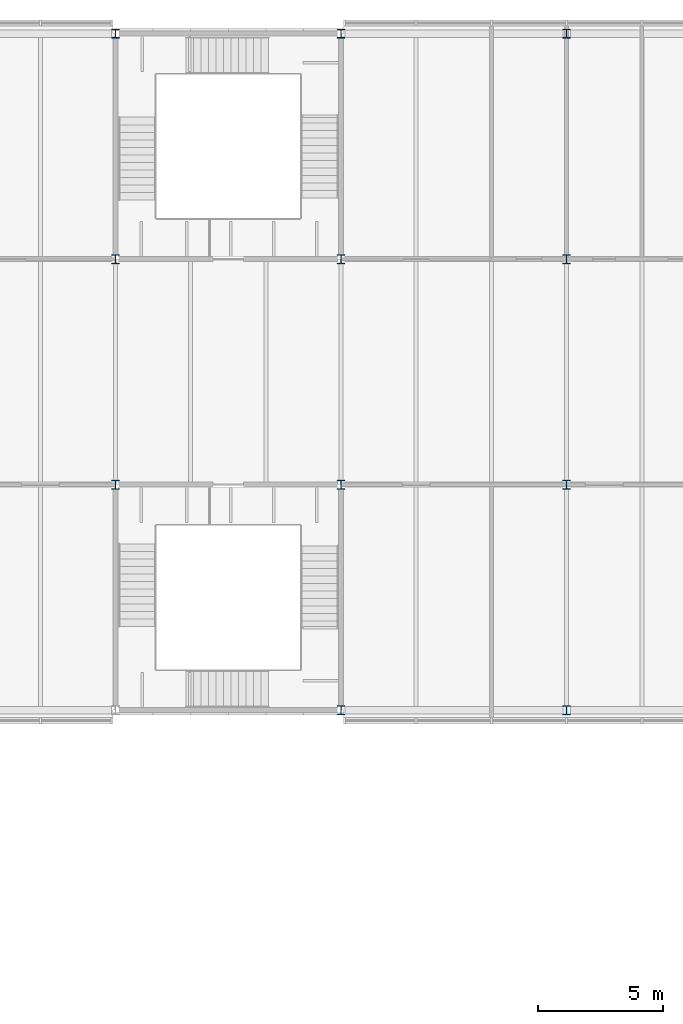
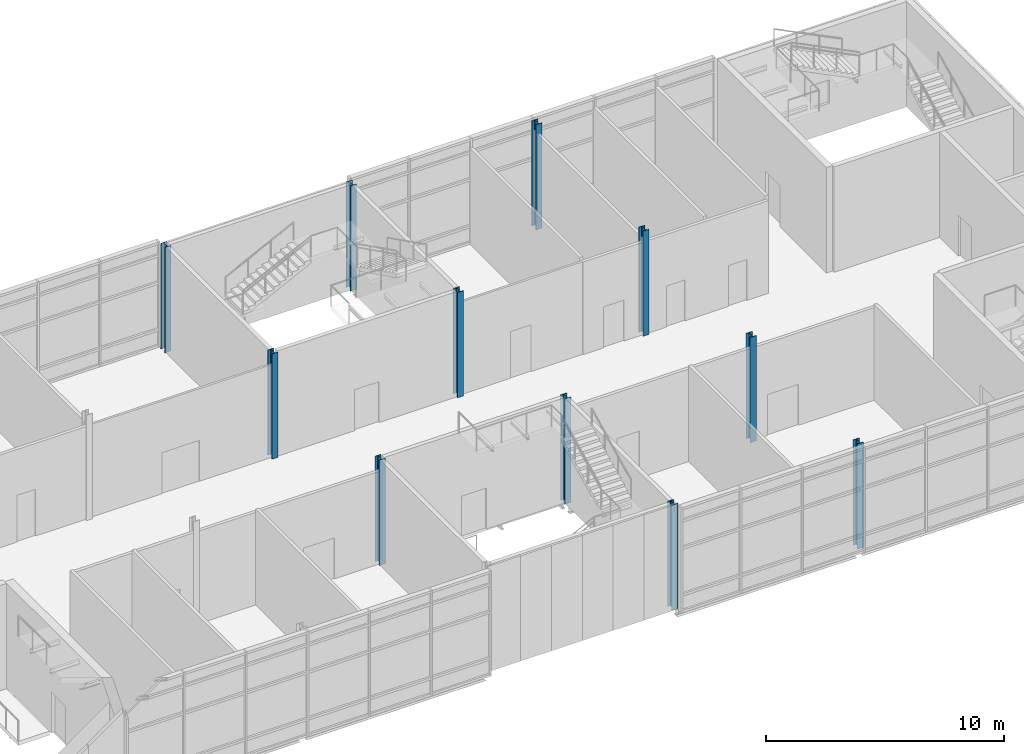
# One storey, part 8 of 52: 11 columns.
"""IFC4 building model written with IfcOpenShell, lengths in metres."""

import ifcopenshell
import ifcopenshell.guid

model = None  # the IFC model being written
_history = None  # IfcOwnerHistory: only IFC2X3 demands one
_inside = {}  # id of a spatial element -> (the spatial element, [elements in it])
_under = {}  # id of a project, library or spatial element -> (it, [spatial elements below it])
_declared = {}  # id of a project -> (the project, [libraries it declares])
_typed = {}  # id of a type object -> (the type object, [elements of that type])
_made_of = {}  # id of a material, layer set ... -> (it, [elements and type objects made of it])


def new_model(schema):
    """Start an empty IFC model of exactly this schema.

    Asked for "IFC4X3", IfcOpenShell would pick the latest addendum, in which some entities
    have other attributes; the version numbers below select the first issue.
    IFC2X3 requires an IfcOwnerHistory on every rooted entity: one is made here for all.
    """
    global model, _history
    if schema == "IFC4X3":
        model = ifcopenshell.file(schema_version=(4, 3, 0, 0))
    else:
        model = ifcopenshell.file(schema=schema)
    _inside.clear()
    _under.clear()
    _declared.clear()
    _typed.clear()
    _made_of.clear()
    _history = None
    if model.schema == "IFC2X3":
        org = make("IfcOrganization", Name="unknown")
        user = make(
            "IfcPersonAndOrganization",
            ThePerson=make("IfcPerson", FamilyName="unknown"),
            TheOrganization=org,
        )
        app = make(
            "IfcApplication",
            ApplicationDeveloper=org,
            Version="unknown",
            ApplicationFullName="unknown",
            ApplicationIdentifier="unknown",
        )
        _history = make(
            "IfcOwnerHistory",
            OwningUser=user,
            OwningApplication=app,
            ChangeAction="ADDED",
            CreationDate=0,
        )
    return model


def make(cls, **values):
    """One entity of the class cls with the attributes given. An attribute that is None is left unset."""
    return model.create_entity(
        cls, **{name: value for name, value in values.items() if value is not None}
    )


def rooted(cls, **values):
    """An entity with a GlobalId (a new one), such as an element, a storey or a relation."""
    return make(cls, GlobalId=ifcopenshell.guid.new(), OwnerHistory=_history, **values)


def si_unit(unit_type, name, prefix=None):
    """IfcSIUnit, for example si_unit("LENGTHUNIT", "METRE", prefix="MILLI")."""
    return make("IfcSIUnit", UnitType=unit_type, Prefix=prefix, Name=name)


def assignment(units):
    """IfcUnitAssignment: the units of a project."""
    return None if units is None else make("IfcUnitAssignment", Units=units)


def point(xyz):
    """IfcCartesianPoint."""
    return None if xyz is None else make("IfcCartesianPoint", Coordinates=xyz)


def direction(xyz):
    """IfcDirection."""
    return None if xyz is None else make("IfcDirection", DirectionRatios=xyz)


def frame(location, z_axis=None, x_axis=None):
    """IfcAxis2Placement3D, a coordinate frame: its origin and axes. An axis left out is left unset."""
    return make(
        "IfcAxis2Placement3D",
        Location=point(location),
        Axis=direction(z_axis),
        RefDirection=direction(x_axis),
    )


def frame_2d(location, x_axis=None):
    """IfcAxis2Placement2D, a coordinate frame in the plane: its origin and x axis."""
    return make(
        "IfcAxis2Placement2D", Location=point(location), RefDirection=direction(x_axis)
    )


def origin():
    """The frame at (0, 0, 0) with its axes left unset."""
    return frame((0.0, 0.0, 0.0))


def origin_2d():
    """The frame at (0, 0) in the plane with its x axis left unset."""
    return frame_2d((0.0, 0.0))


def place(relative_to, where):
    """IfcLocalPlacement: puts the frame where relative to a parent placement (None: the world)."""
    return make(
        "IfcLocalPlacement", PlacementRelTo=relative_to, RelativePlacement=where
    )


def context(
    kind, dimensions, precision=None, world=None, true_north=None, identifier=None
):
    """IfcGeometricRepresentationContext, for example the 3D "Model" context."""
    return make(
        "IfcGeometricRepresentationContext",
        ContextIdentifier=identifier,
        ContextType=kind,
        CoordinateSpaceDimension=dimensions,
        Precision=precision,
        WorldCoordinateSystem=world,
        TrueNorth=true_north,
    )


def subcontext(parent, identifier, kind, view, scale=None):
    """IfcGeometricRepresentationSubContext, for example "Body" below "Model"."""
    return make(
        "IfcGeometricRepresentationSubContext",
        ContextIdentifier=identifier,
        ContextType=kind,
        ParentContext=parent,
        TargetScale=scale,
        TargetView=view,
    )


def project(units=None, contexts=None):
    """IfcProject with its units and contexts."""
    return rooted(
        "IfcProject",
        Name="project",
        RepresentationContexts=contexts,
        UnitsInContext=assignment(units),
    )


def spatial(cls, under=None, at=None, **own):
    """A site, building, storey or space (cls), placed at a placement, below another one or the project."""
    s = rooted(cls, ObjectPlacement=at, **own)
    if under is not None:
        _under.setdefault(under.id(), (under, []))[1].append(s)
    return s


def profile(cls, at=None, kind="AREA", **sizes):
    """A parametric profile (cls). Its sizes go by their IFC names, for example OverallWidth=200.0."""
    return make(cls, ProfileType=kind, Position=at, **sizes)


def i_section(**sizes):
    """IfcIShapeProfileDef."""
    return profile("IfcIShapeProfileDef", **sizes)


def extrude(swept, where, along, depth):
    """IfcExtrudedAreaSolid: the profile swept, set in the frame where, extruded along a direction by depth."""
    return make(
        "IfcExtrudedAreaSolid",
        SweptArea=swept,
        Position=where,
        ExtrudedDirection=direction(along),
        Depth=depth,
    )


def shape(context_of_items, identifier, shape_type, items):
    """IfcShapeRepresentation: the items that make up one representation, for example the "Body"."""
    return make(
        "IfcShapeRepresentation",
        ContextOfItems=context_of_items,
        RepresentationIdentifier=identifier,
        RepresentationType=shape_type,
        Items=items,
    )


def material(Name=None, Category=None):
    """IfcMaterial."""
    return make("IfcMaterial", Name=Name, Category=Category)


def material_profile(
    of_material, cross_section, Name=None, Category=None, Priority=None
):
    """IfcMaterialProfile: a cross section and its material."""
    return make(
        "IfcMaterialProfile",
        Name=Name,
        Material=of_material,
        Profile=cross_section,
        Priority=Priority,
        Category=Category,
    )


def profile_set(profiles, Name=None, composite=None):
    """IfcMaterialProfileSet."""
    return make(
        "IfcMaterialProfileSet",
        Name=Name,
        MaterialProfiles=profiles,
        CompositeProfile=composite,
    )


def made_of(thing, what):
    """Note that an element or type object is made of a material, layer set ...; save() writes the relation."""
    if what is not None:
        _made_of.setdefault(what.id(), (what, []))[1].append(thing)
    return thing


def type_object(cls, material=None, **own):
    """A type object (cls), such as IfcWallType, which elements share."""
    return made_of(rooted(cls, **own), material)


def element(
    cls,
    number,
    at=None,
    inside=None,
    cuts=None,
    type_object=None,
    material=None,
    context=None,
    identifier="Body",
    shape_type=None,
    held_by="IfcProductDefinitionShape",
    body=None,
    shapes=None,
    **own,
):
    """One element of the class cls, such as IfcWall. Its Tag is "e" and its number.

    at: its placement. inside: the storey or other place that contains it. cuts: it is an
    opening in that element (IfcRelVoidsElement). A single representation is given by context,
    identifier, shape_type and body (its items); several are given by shapes. held_by: the class
    of the entity that holds the representations. save() writes the other relations.
    """
    e = rooted(cls, Tag="e%d" % number, ObjectPlacement=at, **own)
    if body is not None:
        shapes = [shape(context, identifier, shape_type, body)]
    if shapes is not None:
        e.Representation = make(held_by, Representations=shapes)
    if inside is not None:
        _inside.setdefault(inside.id(), (inside, []))[1].append(e)
    if cuts is not None:
        rooted(
            "IfcRelVoidsElement", RelatingBuildingElement=cuts, RelatedOpeningElement=e
        )
    if type_object is not None:
        _typed.setdefault(type_object.id(), (type_object, []))[1].append(e)
    return made_of(e, material)


def aggregate(whole, parts):
    """IfcRelAggregates: a whole, such as a stair, and the parts it consists of."""
    return rooted("IfcRelAggregates", RelatingObject=whole, RelatedObjects=parts)


def save(model, path):
    """Write the relations noted so far, then the file.

    IfcRelAggregates (storeys below a building ...), IfcRelContainedInSpatialStructure (elements
    in a storey), IfcRelDefinesByType, IfcRelAssociatesMaterial and IfcRelDeclares: one each for
    every whole, place, type object, material and project.
    """
    for whole, parts in _under.values():
        aggregate(whole, parts)
    for where, things in _inside.values():
        rooted(
            "IfcRelContainedInSpatialStructure",
            RelatedElements=things,
            RelatingStructure=where,
        )
    for kind, things in _typed.values():
        rooted("IfcRelDefinesByType", RelatedObjects=things, RelatingType=kind)
    for what, things in _made_of.values():
        rooted("IfcRelAssociatesMaterial", RelatedObjects=things, RelatingMaterial=what)
    for by, libraries in _declared.values():
        rooted("IfcRelDeclares", RelatingContext=by, RelatedDefinitions=libraries)
    model.write(path)


model = new_model("IFC4")

# Units and contexts
model_context = context("Model", 3, precision=1e-05, world=origin(), true_north=direction((0.0, 1.0)))
body_context = subcontext(model_context, "Body", "Model", "MODEL_VIEW")
ifc_project = project(units=[si_unit("LENGTHUNIT", "METRE"), si_unit("AREAUNIT", "SQUARE_METRE"), si_unit("VOLUMEUNIT", "CUBIC_METRE"), si_unit("PLANEANGLEUNIT", "RADIAN"), si_unit("MASSUNIT", "GRAM", prefix="KILO")], contexts=[model_context])

# Site, building, storey
site_placement = place(None, origin())
site = spatial("IfcSite", under=ifc_project, at=site_placement, CompositionType="ELEMENT")
building_placement = place(site_placement, origin())
building = spatial("IfcBuilding", under=site, at=building_placement, Name="Azimuth Sports and Learning Centre", CompositionType="ELEMENT")
storey_placement = place(building_placement, frame((0.0, 0.0, 16.199951171875)))
storey = spatial("IfcBuildingStorey", under=building, at=storey_placement, Name="L03", CompositionType="ELEMENT", Elevation=16.199951171875)

# Columns
ifc_material = material(Name="Steel S355", Category="steel")
ifc_material_profile = material_profile(ifc_material, i_section(OverallWidth=0.300048828125, OverallDepth=0.360107421875, WebThickness=0.012451171875, FlangeThickness=0.0224609375, FilletRadius=0.027099609375, at=origin_2d()), Name="HEB 360")
ifc_profile_set = profile_set([ifc_material_profile], Name="Steel S355")
column_type = type_object("IfcColumnType", Name="Column HEB 360", PredefinedType="COLUMN", material=ifc_profile_set)
for number, where, z_axis, x_axis, name in (
    (1, (144.0, 90.0, 0.0), (0.0, 0.0, 1.0), (1.0, 0.0, 0.0), "Column 17L L03"),
    (2, (153.0, 90.0, 0.0), (0.0, 0.0, 1.0), (1.0, 0.0, 0.0), "Column 18L L03"),
    (3, (135.0, 99.0, 0.0), (0.0, 0.0, 1.0), (1.0, 0.0, 0.0), "Column 16M L03"),
    (4, (144.0, 99.0, 0.0), (0.0, 0.0, 1.0), (1.0, 0.0, 0.0), "Column 17M L03"),
    (5, (153.0, 99.0, 0.0), (0.0, 0.0, 1.0), (1.0, 0.0, 0.0), "Column 18M L03"),
    (6, (135.0, 108.0, 0.0), (0.0, 0.0, 1.0), (1.0, 0.0, 0.0), "Column 16N L03"),
    (7, (144.0, 108.0, 0.0), (0.0, 0.0, 1.0), (1.0, 0.0, 0.0), "Column 17N L03"),
    (8, (153.0, 108.0, 0.0), (0.0, 0.0, 1.0), (1.0, 0.0, 0.0), "Column 18N L03"),
    (9, (135.0, 117.0, 0.0), (0.0, 0.0, 1.0), (1.0, 0.0, 0.0), "Column 16P L03"),
    (10, (144.0, 117.0, 0.0), (0.0, 0.0, 1.0), (1.0, 0.0, 0.0), "Column 17P L03"),
    (11, (153.0, 117.0, 0.0), (0.0, 0.0, 1.0), (1.0, 0.0, 0.0), "Column 18P L03"),
):
    element("IfcColumn", number, at=place(storey_placement, frame(where, z_axis=z_axis, x_axis=x_axis)), inside=storey, type_object=column_type, Name=name, PredefinedType="COLUMN", context=body_context, shape_type="SweptSolid", body=[
        extrude(i_section(OverallWidth=0.300048828125, OverallDepth=0.360107421875, WebThickness=0.012451171875, FlangeThickness=0.0224609375, FilletRadius=0.027099609375, at=origin_2d()), origin(), (0.0, 0.0, 1.0), 5.400146484375),
    ])

save(model, "model.ifc")
